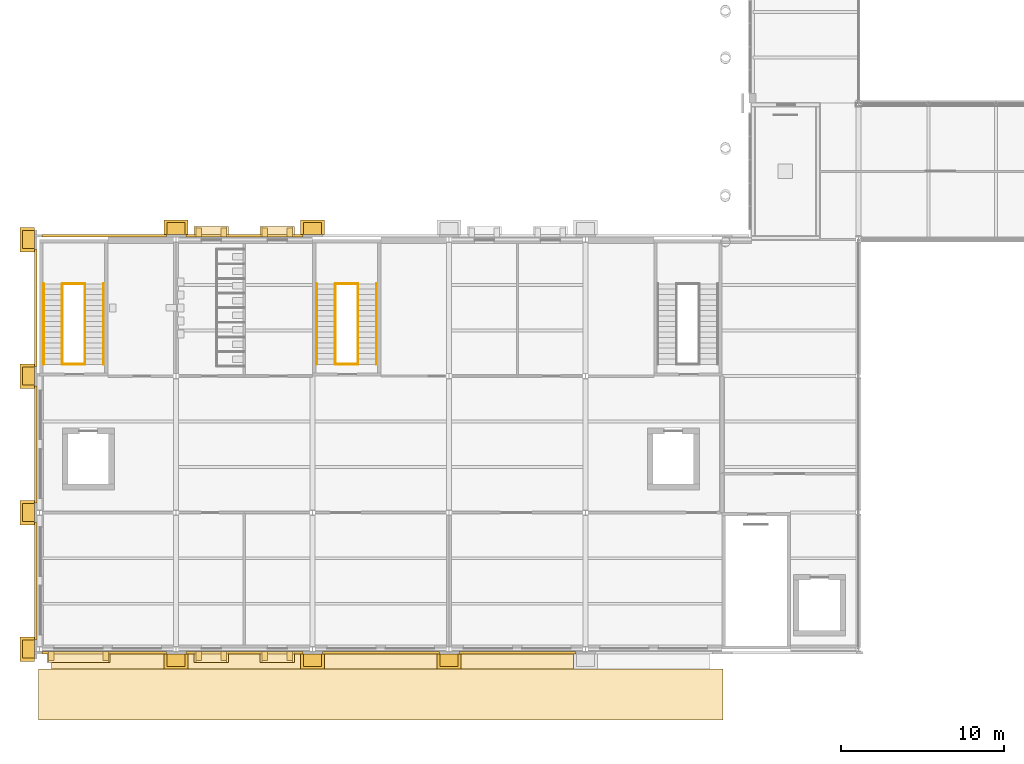
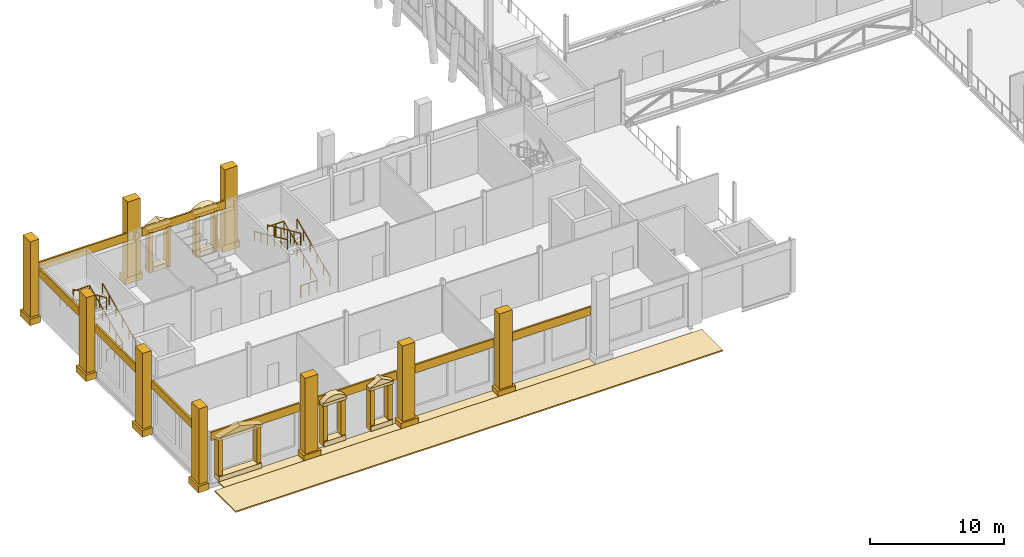
# One storey, part 60 of 76: 57 coverings, 12 railings.
"""IFC4 building model written with IfcOpenShell, lengths in metres."""

import ifcopenshell
import ifcopenshell.guid

model = None  # the IFC model being written
_history = None  # IfcOwnerHistory: only IFC2X3 demands one
_inside = {}  # id of a spatial element -> (the spatial element, [elements in it])
_under = {}  # id of a project, library or spatial element -> (it, [spatial elements below it])
_declared = {}  # id of a project -> (the project, [libraries it declares])
_typed = {}  # id of a type object -> (the type object, [elements of that type])
_made_of = {}  # id of a material, layer set ... -> (it, [elements and type objects made of it])


def new_model(schema):
    """Start an empty IFC model of exactly this schema.

    Asked for "IFC4X3", IfcOpenShell would pick the latest addendum, in which some entities
    have other attributes; the version numbers below select the first issue.
    IFC2X3 requires an IfcOwnerHistory on every rooted entity: one is made here for all.
    """
    global model, _history
    if schema == "IFC4X3":
        model = ifcopenshell.file(schema_version=(4, 3, 0, 0))
    else:
        model = ifcopenshell.file(schema=schema)
    _inside.clear()
    _under.clear()
    _declared.clear()
    _typed.clear()
    _made_of.clear()
    _history = None
    if model.schema == "IFC2X3":
        org = make("IfcOrganization", Name="unknown")
        user = make(
            "IfcPersonAndOrganization",
            ThePerson=make("IfcPerson", FamilyName="unknown"),
            TheOrganization=org,
        )
        app = make(
            "IfcApplication",
            ApplicationDeveloper=org,
            Version="unknown",
            ApplicationFullName="unknown",
            ApplicationIdentifier="unknown",
        )
        _history = make(
            "IfcOwnerHistory",
            OwningUser=user,
            OwningApplication=app,
            ChangeAction="ADDED",
            CreationDate=0,
        )
    return model


def make(cls, **values):
    """One entity of the class cls with the attributes given. An attribute that is None is left unset."""
    return model.create_entity(
        cls, **{name: value for name, value in values.items() if value is not None}
    )


def rooted(cls, **values):
    """An entity with a GlobalId (a new one), such as an element, a storey or a relation."""
    return make(cls, GlobalId=ifcopenshell.guid.new(), OwnerHistory=_history, **values)


def si_unit(unit_type, name, prefix=None):
    """IfcSIUnit, for example si_unit("LENGTHUNIT", "METRE", prefix="MILLI")."""
    return make("IfcSIUnit", UnitType=unit_type, Prefix=prefix, Name=name)


def assignment(units):
    """IfcUnitAssignment: the units of a project."""
    return None if units is None else make("IfcUnitAssignment", Units=units)


def point(xyz):
    """IfcCartesianPoint."""
    return None if xyz is None else make("IfcCartesianPoint", Coordinates=xyz)


def direction(xyz):
    """IfcDirection."""
    return None if xyz is None else make("IfcDirection", DirectionRatios=xyz)


def frame(location, z_axis=None, x_axis=None):
    """IfcAxis2Placement3D, a coordinate frame: its origin and axes. An axis left out is left unset."""
    return make(
        "IfcAxis2Placement3D",
        Location=point(location),
        Axis=direction(z_axis),
        RefDirection=direction(x_axis),
    )


def frame_2d(location, x_axis=None):
    """IfcAxis2Placement2D, a coordinate frame in the plane: its origin and x axis."""
    return make(
        "IfcAxis2Placement2D", Location=point(location), RefDirection=direction(x_axis)
    )


def origin():
    """The frame at (0, 0, 0) with its axes left unset."""
    return frame((0.0, 0.0, 0.0))


def origin_2d():
    """The frame at (0, 0) in the plane with its x axis left unset."""
    return frame_2d((0.0, 0.0))


def place(relative_to, where):
    """IfcLocalPlacement: puts the frame where relative to a parent placement (None: the world)."""
    return make(
        "IfcLocalPlacement", PlacementRelTo=relative_to, RelativePlacement=where
    )


def context(
    kind, dimensions, precision=None, world=None, true_north=None, identifier=None
):
    """IfcGeometricRepresentationContext, for example the 3D "Model" context."""
    return make(
        "IfcGeometricRepresentationContext",
        ContextIdentifier=identifier,
        ContextType=kind,
        CoordinateSpaceDimension=dimensions,
        Precision=precision,
        WorldCoordinateSystem=world,
        TrueNorth=true_north,
    )


def subcontext(parent, identifier, kind, view, scale=None):
    """IfcGeometricRepresentationSubContext, for example "Body" below "Model"."""
    return make(
        "IfcGeometricRepresentationSubContext",
        ContextIdentifier=identifier,
        ContextType=kind,
        ParentContext=parent,
        TargetScale=scale,
        TargetView=view,
    )


def project(units=None, contexts=None):
    """IfcProject with its units and contexts."""
    return rooted(
        "IfcProject",
        Name="project",
        RepresentationContexts=contexts,
        UnitsInContext=assignment(units),
    )


def spatial(cls, under=None, at=None, **own):
    """A site, building, storey or space (cls), placed at a placement, below another one or the project."""
    s = rooted(cls, ObjectPlacement=at, **own)
    if under is not None:
        _under.setdefault(under.id(), (under, []))[1].append(s)
    return s


def polyline(points):
    """IfcPolyline through the points."""
    return make("IfcPolyline", Points=[point(p) for p in points])


def profile(cls, at=None, kind="AREA", **sizes):
    """A parametric profile (cls). Its sizes go by their IFC names, for example OverallWidth=200.0."""
    return make(cls, ProfileType=kind, Position=at, **sizes)


def rectangle(**sizes):
    """IfcRectangleProfileDef."""
    return profile("IfcRectangleProfileDef", **sizes)


def circle(**sizes):
    """IfcCircleProfileDef."""
    return profile("IfcCircleProfileDef", **sizes)


def outline(outer, holes=None, kind="AREA"):
    """IfcArbitraryClosedProfileDef: a profile drawn as a closed curve; with holes, ...WithVoids."""
    if holes is None:
        return make("IfcArbitraryClosedProfileDef", ProfileType=kind, OuterCurve=outer)
    return make(
        "IfcArbitraryProfileDefWithVoids",
        ProfileType=kind,
        OuterCurve=outer,
        InnerCurves=holes,
    )


def extrude(swept, where, along, depth):
    """IfcExtrudedAreaSolid: the profile swept, set in the frame where, extruded along a direction by depth."""
    return make(
        "IfcExtrudedAreaSolid",
        SweptArea=swept,
        Position=where,
        ExtrudedDirection=direction(along),
        Depth=depth,
    )


def shape(context_of_items, identifier, shape_type, items):
    """IfcShapeRepresentation: the items that make up one representation, for example the "Body"."""
    return make(
        "IfcShapeRepresentation",
        ContextOfItems=context_of_items,
        RepresentationIdentifier=identifier,
        RepresentationType=shape_type,
        Items=items,
    )


def material(Name=None, Category=None):
    """IfcMaterial."""
    return make("IfcMaterial", Name=Name, Category=Category)


def layer(
    of_material, thickness, ventilated=None, Name=None, Category=None, Priority=None
):
    """IfcMaterialLayer: one layer of a wall or slab, of a material (None: an air gap)."""
    return make(
        "IfcMaterialLayer",
        Material=of_material,
        LayerThickness=thickness,
        IsVentilated=ventilated,
        Name=Name,
        Category=Category,
        Priority=Priority,
    )


def layer_set(layers, Name=None):
    """IfcMaterialLayerSet."""
    return make("IfcMaterialLayerSet", MaterialLayers=layers, LayerSetName=Name)


def made_of(thing, what):
    """Note that an element or type object is made of a material, layer set ...; save() writes the relation."""
    if what is not None:
        _made_of.setdefault(what.id(), (what, []))[1].append(thing)
    return thing


def type_object(cls, material=None, **own):
    """A type object (cls), such as IfcWallType, which elements share."""
    return made_of(rooted(cls, **own), material)


def element(
    cls,
    number,
    at=None,
    inside=None,
    cuts=None,
    type_object=None,
    material=None,
    context=None,
    identifier="Body",
    shape_type=None,
    held_by="IfcProductDefinitionShape",
    body=None,
    shapes=None,
    **own,
):
    """One element of the class cls, such as IfcWall. Its Tag is "e" and its number.

    at: its placement. inside: the storey or other place that contains it. cuts: it is an
    opening in that element (IfcRelVoidsElement). A single representation is given by context,
    identifier, shape_type and body (its items); several are given by shapes. held_by: the class
    of the entity that holds the representations. save() writes the other relations.
    """
    e = rooted(cls, Tag="e%d" % number, ObjectPlacement=at, **own)
    if body is not None:
        shapes = [shape(context, identifier, shape_type, body)]
    if shapes is not None:
        e.Representation = make(held_by, Representations=shapes)
    if inside is not None:
        _inside.setdefault(inside.id(), (inside, []))[1].append(e)
    if cuts is not None:
        rooted(
            "IfcRelVoidsElement", RelatingBuildingElement=cuts, RelatedOpeningElement=e
        )
    if type_object is not None:
        _typed.setdefault(type_object.id(), (type_object, []))[1].append(e)
    return made_of(e, material)


def aggregate(whole, parts):
    """IfcRelAggregates: a whole, such as a stair, and the parts it consists of."""
    return rooted("IfcRelAggregates", RelatingObject=whole, RelatedObjects=parts)


def save(model, path):
    """Write the relations noted so far, then the file.

    IfcRelAggregates (storeys below a building ...), IfcRelContainedInSpatialStructure (elements
    in a storey), IfcRelDefinesByType, IfcRelAssociatesMaterial and IfcRelDeclares: one each for
    every whole, place, type object, material and project.
    """
    for whole, parts in _under.values():
        aggregate(whole, parts)
    for where, things in _inside.values():
        rooted(
            "IfcRelContainedInSpatialStructure",
            RelatedElements=things,
            RelatingStructure=where,
        )
    for kind, things in _typed.values():
        rooted("IfcRelDefinesByType", RelatedObjects=things, RelatingType=kind)
    for what, things in _made_of.values():
        rooted("IfcRelAssociatesMaterial", RelatedObjects=things, RelatingMaterial=what)
    for by, libraries in _declared.values():
        rooted("IfcRelDeclares", RelatingContext=by, RelatedDefinitions=libraries)
    model.write(path)


model = new_model("IFC4")

# Units and contexts
model_context = context("Model", 3, precision=1e-05, world=origin(), true_north=direction((0.0, 1.0)))
body_context = subcontext(model_context, "Body", "Model", "MODEL_VIEW")
ifc_project = project(units=[si_unit("LENGTHUNIT", "METRE"), si_unit("AREAUNIT", "SQUARE_METRE"), si_unit("VOLUMEUNIT", "CUBIC_METRE"), si_unit("PLANEANGLEUNIT", "RADIAN"), si_unit("MASSUNIT", "GRAM", prefix="KILO")], contexts=[model_context])

# Site, building, storey
site_placement = place(None, origin())
site = spatial("IfcSite", under=ifc_project, at=site_placement, CompositionType="ELEMENT")
building_placement = place(site_placement, origin())
building = spatial("IfcBuilding", under=site, at=building_placement, Name="Sava Quay Ferry Terminal", CompositionType="ELEMENT")
storey_placement = place(building_placement, frame((0.0, 0.0, 6.0)))
storey = spatial("IfcBuildingStorey", under=building, at=storey_placement, Name="L01", CompositionType="ELEMENT", Elevation=6.0)

# Coverings
ifc_material_1 = material(Name="Standing-seam lead roofing")
ifc_layer_1 = layer(ifc_material_1, 0.1201171875)
ifc_layer_set_1 = layer_set([ifc_layer_1], Name="Standing-seam lead roofing")
covering_type_1 = type_object("IfcCoveringType", Name="Arcade roof covering 120", PredefinedType="ROOFING", material=ifc_layer_set_1)
covering_1_placement = place(storey_placement, frame((21.0, 22.419921875, 0.0), z_axis=(0.0, 0.0, 1.0), x_axis=(1.0, 0.0, 0.0)))
element("IfcCovering", 1, at=covering_1_placement, inside=storey, type_object=covering_type_1, Name="Arcade roof covering", PredefinedType="ROOFING", context=body_context, shape_type="SweptSolid", body=[
    extrude(rectangle(XDim=42.10009765625, YDim=3.139892578125, at=origin_2d()), origin(), (0.0, 0.0, 1.0), 0.1201171875),
])
for number, where, z_axis, x_axis, name in (
    (2, (4.199951171875, 24.43994140625, 0.0), (0.0, 0.0, 1.0), (1.0, 0.0, 0.0), "Arcade roof covering"),
    (3, (12.60009765625, 24.43994140625, 0.0), (0.0, 0.0, 1.0), (1.0, 0.0, 0.0), "Arcade roof covering"),
    (4, (21.0, 24.43994140625, 0.0), (0.0, 0.0, 1.0), (1.0, 0.0, 0.0), "Arcade roof covering"),
    (5, (29.39990234375, 24.43994140625, 0.0), (0.0, 0.0, 1.0), (1.0, 0.0, 0.0), "Arcade roof covering"),
):
    element("IfcCovering", number, at=place(storey_placement, frame(where, z_axis=z_axis, x_axis=x_axis)), inside=storey, type_object=covering_type_1, Name=name, PredefinedType="ROOFING", context=body_context, shape_type="SweptSolid", body=[
        extrude(rectangle(XDim=6.89990234375, YDim=0.89990234375, at=origin_2d()), origin(), (0.0, 0.0, 1.0), 0.1201171875),
    ])
ifc_material_2 = material(Name="Limestone Mutalj", Category="masonry")
ifc_layer_2 = layer(ifc_material_2, 0.89990234375)
ifc_layer_set_2 = layer_set([ifc_layer_2], Name="Limestone Mutalj")
covering_type_2 = type_object("IfcCoveringType", Name="Giant-order pilaster base 1500", PredefinedType="MOLDING", material=ifc_layer_set_2)
for number, where, z_axis, x_axis, name in (
    (6, (8.39990234375, 51.159912109375, 0.0), (0.0, 0.0, 1.0), (1.0, 0.0, 0.0), "Giant-order pilaster base"),
    (7, (16.800048828125, 51.159912109375, 0.0), (0.0, 0.0, 1.0), (1.0, 0.0, 0.0), "Giant-order pilaster base"),
    (8, (8.39990234375, 24.43994140625, 0.0), (0.0, 0.0, 1.0), (1.0, 0.0, 0.0), "Giant-order pilaster base"),
    (9, (16.800048828125, 24.43994140625, 0.0), (0.0, 0.0, 1.0), (1.0, 0.0, 0.0), "Giant-order pilaster base"),
    (10, (25.199951171875, 24.43994140625, 0.0), (0.0, 0.0, 1.0), (1.0, 0.0, 0.0), "Giant-order pilaster base"),
):
    element("IfcCovering", number, at=place(storey_placement, frame(where, z_axis=z_axis, x_axis=x_axis)), inside=storey, type_object=covering_type_2, Name=name, PredefinedType="MOLDING", context=body_context, shape_type="SweptSolid", body=[
        extrude(rectangle(XDim=1.5, YDim=0.89990234375, at=origin_2d()), origin(), (0.0, 0.0, 1.0), 0.60009765625),
    ])
for number, where, z_axis, x_axis, name in (
    (11, (-0.75, 25.199951171875, 0.0), (0.0, 0.0, 1.0), (1.0, 0.0, 0.0), "Giant-order pilaster base"),
    (12, (-0.75, 33.60009765625, 0.0), (0.0, 0.0, 1.0), (1.0, 0.0, 0.0), "Giant-order pilaster base"),
    (13, (-0.75, 42.0, 0.0), (0.0, 0.0, 1.0), (1.0, 0.0, 0.0), "Giant-order pilaster base"),
    (14, (-0.75, 50.39990234375, 0.0), (0.0, 0.0, 1.0), (1.0, 0.0, 0.0), "Giant-order pilaster base"),
):
    element("IfcCovering", number, at=place(storey_placement, frame(where, z_axis=z_axis, x_axis=x_axis)), inside=storey, type_object=covering_type_2, Name=name, PredefinedType="MOLDING", context=body_context, shape_type="SweptSolid", body=[
        extrude(rectangle(XDim=0.89990234375, YDim=1.5, at=origin_2d()), origin(), (0.0, 0.0, 1.0), 0.60009765625),
    ])
ifc_material_3 = material(Name="Limestone Mutalj", Category="masonry")
ifc_layer_3 = layer(ifc_material_3, 0.75)
ifc_layer_set_3 = layer_set([ifc_layer_3], Name="Limestone Mutalj")
covering_type_3 = type_object("IfcCoveringType", Name="Giant-order pilaster shaft 1100", PredefinedType="CLADDING", material=ifc_layer_set_3)
for number, where, z_axis, x_axis, name in (
    (15, (8.39990234375, 51.0849609375, 0.60009765625), (0.0, 0.0, 1.0), (1.0, 0.0, 0.0), "Giant-order pilaster"),
    (16, (16.800048828125, 51.0849609375, 0.60009765625), (0.0, 0.0, 1.0), (1.0, 0.0, 0.0), "Giant-order pilaster"),
    (17, (8.39990234375, 24.514892578125, 0.60009765625), (0.0, 0.0, 1.0), (1.0, 0.0, 0.0), "Giant-order pilaster"),
    (18, (16.800048828125, 24.514892578125, 0.60009765625), (0.0, 0.0, 1.0), (1.0, 0.0, 0.0), "Giant-order pilaster"),
    (19, (25.199951171875, 24.514892578125, 0.60009765625), (0.0, 0.0, 1.0), (1.0, 0.0, 0.0), "Giant-order pilaster"),
):
    element("IfcCovering", number, at=place(storey_placement, frame(where, z_axis=z_axis, x_axis=x_axis)), inside=storey, type_object=covering_type_3, Name=name, PredefinedType="CLADDING", context=body_context, shape_type="SweptSolid", body=[
        extrude(rectangle(XDim=1.10009765625, YDim=0.75, at=origin_2d()), origin(), (0.0, 0.0, 1.0), 6.89990234375),
    ])
for number, where, z_axis, x_axis, name in (
    (20, (-0.675048828125, 25.199951171875, 0.60009765625), (0.0, 0.0, 1.0), (1.0, 0.0, 0.0), "Giant-order pilaster"),
    (21, (-0.675048828125, 33.60009765625, 0.60009765625), (0.0, 0.0, 1.0), (1.0, 0.0, 0.0), "Giant-order pilaster"),
    (22, (-0.675048828125, 42.0, 0.60009765625), (0.0, 0.0, 1.0), (1.0, 0.0, 0.0), "Giant-order pilaster"),
    (23, (-0.675048828125, 50.39990234375, 0.60009765625), (0.0, 0.0, 1.0), (1.0, 0.0, 0.0), "Giant-order pilaster"),
):
    element("IfcCovering", number, at=place(storey_placement, frame(where, z_axis=z_axis, x_axis=x_axis)), inside=storey, type_object=covering_type_3, Name=name, PredefinedType="CLADDING", context=body_context, shape_type="SweptSolid", body=[
        extrude(rectangle(XDim=0.75, YDim=1.10009765625, at=origin_2d()), origin(), (0.0, 0.0, 1.0), 6.89990234375),
    ])

# Railings
ifc_material_4 = material(Name="Steel S355", Category="steel")
railing_type_1 = type_object("IfcRailingType", Name="Guard 1100", PredefinedType="GUARDRAIL", material=ifc_material_4)
railing_1_placement = place(storey_placement, frame((1.39990234375, 42.72998046875, 0.0)))
element("IfcRailing", 24, at=railing_1_placement, inside=storey, type_object=railing_type_1, Name="Guard at stair well ST-W1 L01", PredefinedType="GUARDRAIL", context=body_context, shape_type="SweptSolid", body=[
    extrude(circle(Radius=0.02392578125, at=origin_2d()), frame((0.0, 0.0, 1.076171875), z_axis=(1.0, 0.0, 0.0), x_axis=(0.0, 1.0, 0.0)), (0.0, 0.0, 1.0), 1.400146484375),
    extrude(circle(Radius=0.02099609375, at=origin_2d()), origin(), (0.0, 0.0, 1.0), 1.052001953125),
    extrude(circle(Radius=0.02099609375, at=origin_2d()), frame((0.7001953125, 0.0, 0.0)), (0.0, 0.0, 1.0), 1.052001953125),
    extrude(circle(Radius=0.02099609375, at=origin_2d()), frame((1.400146484375, 0.0, 0.0)), (0.0, 0.0, 1.0), 1.052001953125),
])
railing_2_placement = place(storey_placement, frame((2.800048828125, 42.72998046875, 0.14990234375)))
element("IfcRailing", 25, at=railing_2_placement, inside=storey, type_object=railing_type_1, Name="Guard at stair well ST-W1 L01", PredefinedType="GUARDRAIL", context=body_context, shape_type="SweptSolid", body=[
    extrude(circle(Radius=0.02392578125, at=origin_2d()), frame((0.0, 0.0, 1.076171875), z_axis=(0.0, 0.910364939756, 0.41380632724), x_axis=(-1.0, 0.0, 0.0)), (0.0, 0.0, 1.0), 5.437255859375),
    extrude(circle(Radius=0.02099609375, at=origin_2d()), origin(), (0.0, 0.0, 1.0), 1.052001953125),
    extrude(circle(Radius=0.02099609375, at=origin_2d()), frame((0.0, 0.989990234375, 0.449951171875)), (0.0, 0.0, 1.0), 1.052001953125),
    extrude(circle(Radius=0.02099609375, at=origin_2d()), frame((0.0, 1.97998046875, 0.89990234375)), (0.0, 0.0, 1.0), 1.052001953125),
    extrude(circle(Radius=0.02099609375, at=origin_2d()), frame((0.0, 2.969970703125, 1.35009765625)), (0.0, 0.0, 1.0), 1.052001953125),
    extrude(circle(Radius=0.02099609375, at=origin_2d()), frame((0.0, 3.9599609375, 1.800048828125)), (0.0, 0.0, 1.0), 1.052001953125),
    extrude(circle(Radius=0.02099609375, at=origin_2d()), frame((0.0, 4.949951171875, 2.25)), (0.0, 0.0, 1.0), 1.052001953125),
])
railing_3_placement = place(storey_placement, frame((1.39990234375, 47.679931640625, 2.550048828125)))
element("IfcRailing", 26, at=railing_3_placement, inside=storey, type_object=railing_type_1, Name="Guard at stair well ST-W1 L01", PredefinedType="GUARDRAIL", context=body_context, shape_type="SweptSolid", body=[
    extrude(circle(Radius=0.02392578125, at=origin_2d()), frame((0.0, 0.0, 1.076171875), z_axis=(0.0, -0.910364939756, 0.41380632724), x_axis=(1.0, 0.0, 0.0)), (0.0, 0.0, 1.0), 5.437255859375),
    extrude(circle(Radius=0.02099609375, at=origin_2d()), origin(), (0.0, 0.0, 1.0), 1.052001953125),
    extrude(circle(Radius=0.02099609375, at=origin_2d()), frame((0.0, -0.989990234375, 0.449951171875)), (0.0, 0.0, 1.0), 1.052001953125),
    extrude(circle(Radius=0.02099609375, at=origin_2d()), frame((0.0, -1.97998046875, 0.89990234375)), (0.0, 0.0, 1.0), 1.052001953125),
    extrude(circle(Radius=0.02099609375, at=origin_2d()), frame((0.0, -2.969970703125, 1.35009765625)), (0.0, 0.0, 1.0), 1.052001953125),
    extrude(circle(Radius=0.02099609375, at=origin_2d()), frame((0.0, -3.9599609375, 1.800048828125)), (0.0, 0.0, 1.0), 1.052001953125),
    extrude(circle(Radius=0.02099609375, at=origin_2d()), frame((0.0, -4.949951171875, 2.25)), (0.0, 0.0, 1.0), 1.052001953125),
])
for number, where, name in (
    (27, (1.39990234375, 47.679931640625, 2.39990234375), "Guard at half landing ST-W1 L01"),
    (28, (18.199951171875, 42.72998046875, 0.0), "Guard at stair well ST-W3 L01"),
):
    element("IfcRailing", number, at=place(storey_placement, frame(where)), inside=storey, type_object=railing_type_1, Name=name, PredefinedType="GUARDRAIL", context=body_context, shape_type="SweptSolid", body=[
        extrude(circle(Radius=0.02392578125, at=origin_2d()), frame((0.0, 0.0, 1.076171875), z_axis=(1.0, 0.0, 0.0), x_axis=(0.0, 1.0, 0.0)), (0.0, 0.0, 1.0), 1.400146484375),
        extrude(circle(Radius=0.02099609375, at=origin_2d()), origin(), (0.0, 0.0, 1.0), 1.052001953125),
        extrude(circle(Radius=0.02099609375, at=origin_2d()), frame((0.7001953125, 0.0, 0.0)), (0.0, 0.0, 1.0), 1.052001953125),
        extrude(circle(Radius=0.02099609375, at=origin_2d()), frame((1.400146484375, 0.0, 0.0)), (0.0, 0.0, 1.0), 1.052001953125),
    ])
railing_4_placement = place(storey_placement, frame((19.60009765625, 42.72998046875, 0.14990234375)))
element("IfcRailing", 29, at=railing_4_placement, inside=storey, type_object=railing_type_1, Name="Guard at stair well ST-W3 L01", PredefinedType="GUARDRAIL", context=body_context, shape_type="SweptSolid", body=[
    extrude(circle(Radius=0.02392578125, at=origin_2d()), frame((0.0, 0.0, 1.076171875), z_axis=(0.0, 0.910364939756, 0.41380632724), x_axis=(-1.0, 0.0, 0.0)), (0.0, 0.0, 1.0), 5.437255859375),
    extrude(circle(Radius=0.02099609375, at=origin_2d()), origin(), (0.0, 0.0, 1.0), 1.052001953125),
    extrude(circle(Radius=0.02099609375, at=origin_2d()), frame((0.0, 0.989990234375, 0.449951171875)), (0.0, 0.0, 1.0), 1.052001953125),
    extrude(circle(Radius=0.02099609375, at=origin_2d()), frame((0.0, 1.97998046875, 0.89990234375)), (0.0, 0.0, 1.0), 1.052001953125),
    extrude(circle(Radius=0.02099609375, at=origin_2d()), frame((0.0, 2.969970703125, 1.35009765625)), (0.0, 0.0, 1.0), 1.052001953125),
    extrude(circle(Radius=0.02099609375, at=origin_2d()), frame((0.0, 3.9599609375, 1.800048828125)), (0.0, 0.0, 1.0), 1.052001953125),
    extrude(circle(Radius=0.02099609375, at=origin_2d()), frame((0.0, 4.949951171875, 2.25)), (0.0, 0.0, 1.0), 1.052001953125),
])
railing_5_placement = place(storey_placement, frame((18.199951171875, 47.679931640625, 2.550048828125)))
element("IfcRailing", 30, at=railing_5_placement, inside=storey, type_object=railing_type_1, Name="Guard at stair well ST-W3 L01", PredefinedType="GUARDRAIL", context=body_context, shape_type="SweptSolid", body=[
    extrude(circle(Radius=0.02392578125, at=origin_2d()), frame((0.0, 0.0, 1.076171875), z_axis=(0.0, -0.910364939756, 0.41380632724), x_axis=(1.0, 0.0, 0.0)), (0.0, 0.0, 1.0), 5.437255859375),
    extrude(circle(Radius=0.02099609375, at=origin_2d()), origin(), (0.0, 0.0, 1.0), 1.052001953125),
    extrude(circle(Radius=0.02099609375, at=origin_2d()), frame((0.0, -0.989990234375, 0.449951171875)), (0.0, 0.0, 1.0), 1.052001953125),
    extrude(circle(Radius=0.02099609375, at=origin_2d()), frame((0.0, -1.97998046875, 0.89990234375)), (0.0, 0.0, 1.0), 1.052001953125),
    extrude(circle(Radius=0.02099609375, at=origin_2d()), frame((0.0, -2.969970703125, 1.35009765625)), (0.0, 0.0, 1.0), 1.052001953125),
    extrude(circle(Radius=0.02099609375, at=origin_2d()), frame((0.0, -3.9599609375, 1.800048828125)), (0.0, 0.0, 1.0), 1.052001953125),
    extrude(circle(Radius=0.02099609375, at=origin_2d()), frame((0.0, -4.949951171875, 2.25)), (0.0, 0.0, 1.0), 1.052001953125),
])
railing_6_placement = place(storey_placement, frame((18.199951171875, 47.679931640625, 2.39990234375)))
element("IfcRailing", 31, at=railing_6_placement, inside=storey, type_object=railing_type_1, Name="Guard at half landing ST-W3 L01", PredefinedType="GUARDRAIL", context=body_context, shape_type="SweptSolid", body=[
    extrude(circle(Radius=0.02392578125, at=origin_2d()), frame((0.0, 0.0, 1.076171875), z_axis=(1.0, 0.0, 0.0), x_axis=(0.0, 1.0, 0.0)), (0.0, 0.0, 1.0), 1.400146484375),
    extrude(circle(Radius=0.02099609375, at=origin_2d()), origin(), (0.0, 0.0, 1.0), 1.052001953125),
    extrude(circle(Radius=0.02099609375, at=origin_2d()), frame((0.7001953125, 0.0, 0.0)), (0.0, 0.0, 1.0), 1.052001953125),
    extrude(circle(Radius=0.02099609375, at=origin_2d()), frame((1.400146484375, 0.0, 0.0)), (0.0, 0.0, 1.0), 1.052001953125),
])

# Coverings
ifc_material_5 = material(Name="Limestone Mutalj", Category="masonry")
ifc_layer_4 = layer(ifc_material_5, 0.14990234375)
ifc_layer_set_4 = layer_set([ifc_layer_4], Name="Limestone Mutalj")
covering_type_4 = type_object("IfcCoveringType", Name="Limestone string course 150", PredefinedType="CLADDING", material=ifc_layer_set_4)
covering_2_placement = place(storey_placement, frame((0.0, 0.0, 4.050048828125)))
element("IfcCovering", 32, at=covering_2_placement, inside=storey, type_object=covering_type_4, Name="String course W-S", PredefinedType="CLADDING", context=body_context, shape_type="SweptSolid", body=[
    extrude(outline(polyline([(0.14990234375, 25.0400390625), (7.800048828125, 25.0400390625), (7.800048828125, 24.889892578125), (0.14990234375, 24.889892578125), (0.14990234375, 25.0400390625)])), origin(), (0.0, 0.0, 1.0), 0.75),
])
covering_3_placement = place(storey_placement, frame((0.0, 0.0, 4.050048828125)))
element("IfcCovering", 33, at=covering_3_placement, inside=storey, type_object=covering_type_4, Name="String course W-S", PredefinedType="CLADDING", context=body_context, shape_type="SweptSolid", body=[
    extrude(outline(polyline([(9.0, 25.0400390625), (16.199951171875, 25.0400390625), (16.199951171875, 24.889892578125), (9.0, 24.889892578125), (9.0, 25.0400390625)])), origin(), (0.0, 0.0, 1.0), 0.75),
])
covering_4_placement = place(storey_placement, frame((0.0, 0.0, 4.050048828125)))
element("IfcCovering", 34, at=covering_4_placement, inside=storey, type_object=covering_type_4, Name="String course W-S", PredefinedType="CLADDING", context=body_context, shape_type="SweptSolid", body=[
    extrude(outline(polyline([(17.39990234375, 25.0400390625), (24.60009765625, 25.0400390625), (24.60009765625, 24.889892578125), (17.39990234375, 24.889892578125), (17.39990234375, 25.0400390625)])), origin(), (0.0, 0.0, 1.0), 0.75),
])
covering_5_placement = place(storey_placement, frame((0.0, 0.0, 4.050048828125)))
element("IfcCovering", 35, at=covering_5_placement, inside=storey, type_object=covering_type_4, Name="String course W-S", PredefinedType="CLADDING", context=body_context, shape_type="SweptSolid", body=[
    extrude(outline(polyline([(25.800048828125, 25.0400390625), (33.0, 25.0400390625), (33.0, 24.889892578125), (25.800048828125, 24.889892578125), (25.800048828125, 25.0400390625)])), origin(), (0.0, 0.0, 1.0), 0.75),
])
covering_6_placement = place(storey_placement, frame((0.0, 0.0, 4.050048828125)))
element("IfcCovering", 36, at=covering_6_placement, inside=storey, type_object=covering_type_4, Name="String course W-W", PredefinedType="CLADDING", context=body_context, shape_type="SweptSolid", body=[
    extrude(outline(polyline([(-0.14990234375, 25.800048828125), (-0.14990234375, 33.0), (-0.300048828125, 33.0), (-0.300048828125, 25.800048828125), (-0.14990234375, 25.800048828125)])), origin(), (0.0, 0.0, 1.0), 0.75),
])
covering_7_placement = place(storey_placement, frame((0.0, 0.0, 4.050048828125)))
element("IfcCovering", 37, at=covering_7_placement, inside=storey, type_object=covering_type_4, Name="String course W-W", PredefinedType="CLADDING", context=body_context, shape_type="SweptSolid", body=[
    extrude(outline(polyline([(-0.14990234375, 34.199951171875), (-0.14990234375, 41.39990234375), (-0.300048828125, 41.39990234375), (-0.300048828125, 34.199951171875), (-0.14990234375, 34.199951171875)])), origin(), (0.0, 0.0, 1.0), 0.75),
])
covering_8_placement = place(storey_placement, frame((0.0, 0.0, 4.050048828125)))
element("IfcCovering", 38, at=covering_8_placement, inside=storey, type_object=covering_type_4, Name="String course W-W", PredefinedType="CLADDING", context=body_context, shape_type="SweptSolid", body=[
    extrude(outline(polyline([(-0.14990234375, 42.60009765625), (-0.14990234375, 49.800048828125), (-0.300048828125, 49.800048828125), (-0.300048828125, 42.60009765625), (-0.14990234375, 42.60009765625)])), origin(), (0.0, 0.0, 1.0), 0.75),
])
covering_9_placement = place(storey_placement, frame((0.0, 0.0, 4.050048828125)))
element("IfcCovering", 39, at=covering_9_placement, inside=storey, type_object=covering_type_4, Name="String course W-N", PredefinedType="CLADDING", context=body_context, shape_type="SweptSolid", body=[
    extrude(outline(polyline([(0.14990234375, 50.56005859375), (7.800048828125, 50.56005859375), (7.800048828125, 50.7099609375), (0.14990234375, 50.7099609375), (0.14990234375, 50.56005859375)])), origin(), (0.0, 0.0, 1.0), 0.75),
])
covering_10_placement = place(storey_placement, frame((0.0, 0.0, 4.050048828125)))
element("IfcCovering", 40, at=covering_10_placement, inside=storey, type_object=covering_type_4, Name="String course W-N", PredefinedType="CLADDING", context=body_context, shape_type="SweptSolid", body=[
    extrude(outline(polyline([(9.0, 50.56005859375), (16.199951171875, 50.56005859375), (16.199951171875, 50.7099609375), (9.0, 50.7099609375), (9.0, 50.56005859375)])), origin(), (0.0, 0.0, 1.0), 0.75),
])
ifc_material_6 = material(Name="Limestone Mutalj", Category="masonry")
ifc_layer_5 = layer(ifc_material_6, 0.64990234375)
ifc_layer_set_5 = layer_set([ifc_layer_5], Name="Limestone Mutalj")
covering_type_5 = type_object("IfcCoveringType", Name="Segmental window head 500", PredefinedType="MOLDING", material=ifc_layer_set_5)
for number, where, z_axis, x_axis, name in (
    (41, (13.581298828125, 51.2099609375, 4.39990234375), (0.0, 1.0, 0.0), (0.71122974715, 0.0, 0.702959633811), "Segmental window head"),
    (42, (9.518798828125, 25.0400390625, 4.39990234375), (0.0, 1.0, 0.0), (0.71122974715, 0.0, 0.702959633811), "Segmental window head"),
):
    element("IfcCovering", number, at=place(storey_placement, frame(where, z_axis=z_axis, x_axis=x_axis)), inside=storey, type_object=covering_type_5, Name=name, PredefinedType="MOLDING", context=body_context, shape_type="SweptSolid", body=[
        extrude(outline(polyline([(0.0, 0.0), (0.29520831818581716, 0.0), (0.5408181661149173, 0.05018198167150195), (0.752447055183014, 0.1347446981906073), (0.9373030675727445, 0.24639526640782444), (1.0981321393536847, 0.382355445123347), (1.2361376366269134, 0.5417550148915962), (1.3499425532163642, 0.7252925741538023), (1.4369745931274485, 0.93591798511412), (1.4900256741775295, 1.1809241309220415), (1.4934782849708934, 1.4761122584014645), (0.0, 0.0)])), origin(), (0.0, 0.0, -1.0), 0.64990234375),
    ])

# Railings
ifc_material_7 = material(Name="Steel S355", Category="steel")
railing_type_2 = type_object("IfcRailingType", Name="Stair handrail 900", PredefinedType="HANDRAIL", material=ifc_material_7)
railing_7_placement = place(storey_placement, frame((3.93994140625, 42.72998046875, 0.14990234375)))
element("IfcRailing", 43, at=railing_7_placement, inside=storey, type_object=railing_type_2, Name="Handrail ST-W1 L01", PredefinedType="HANDRAIL", context=body_context, shape_type="SweptSolid", body=[
    extrude(circle(Radius=0.02392578125, at=origin_2d()), frame((0.0, 0.0, 0.8759765625), z_axis=(0.0, 0.910364939756, 0.41380632724), x_axis=(-1.0, 0.0, 0.0)), (0.0, 0.0, 1.0), 5.437255859375),
    extrude(circle(Radius=0.02099609375, at=origin_2d()), origin(), (0.0, 0.0, 1.0), 0.851806640625),
    extrude(circle(Radius=0.02099609375, at=origin_2d()), frame((0.0, 0.989990234375, 0.449951171875)), (0.0, 0.0, 1.0), 0.851806640625),
    extrude(circle(Radius=0.02099609375, at=origin_2d()), frame((0.0, 1.97998046875, 0.89990234375)), (0.0, 0.0, 1.0), 0.851806640625),
    extrude(circle(Radius=0.02099609375, at=origin_2d()), frame((0.0, 2.969970703125, 1.35009765625)), (0.0, 0.0, 1.0), 0.851806640625),
    extrude(circle(Radius=0.02099609375, at=origin_2d()), frame((0.0, 3.9599609375, 1.800048828125)), (0.0, 0.0, 1.0), 0.851806640625),
    extrude(circle(Radius=0.02099609375, at=origin_2d()), frame((0.0, 4.949951171875, 2.25)), (0.0, 0.0, 1.0), 0.851806640625),
])
railing_8_placement = place(storey_placement, frame((0.260009765625, 47.679931640625, 2.550048828125)))
element("IfcRailing", 44, at=railing_8_placement, inside=storey, type_object=railing_type_2, Name="Handrail ST-W1 L01", PredefinedType="HANDRAIL", context=body_context, shape_type="SweptSolid", body=[
    extrude(circle(Radius=0.02392578125, at=origin_2d()), frame((0.0, 0.0, 0.8759765625), z_axis=(0.0, -0.910364939756, 0.41380632724), x_axis=(1.0, 0.0, 0.0)), (0.0, 0.0, 1.0), 5.437255859375),
    extrude(circle(Radius=0.02099609375, at=origin_2d()), origin(), (0.0, 0.0, 1.0), 0.851806640625),
    extrude(circle(Radius=0.02099609375, at=origin_2d()), frame((0.0, -0.989990234375, 0.449951171875)), (0.0, 0.0, 1.0), 0.851806640625),
    extrude(circle(Radius=0.02099609375, at=origin_2d()), frame((0.0, -1.97998046875, 0.89990234375)), (0.0, 0.0, 1.0), 0.851806640625),
    extrude(circle(Radius=0.02099609375, at=origin_2d()), frame((0.0, -2.969970703125, 1.35009765625)), (0.0, 0.0, 1.0), 0.851806640625),
    extrude(circle(Radius=0.02099609375, at=origin_2d()), frame((0.0, -3.9599609375, 1.800048828125)), (0.0, 0.0, 1.0), 0.851806640625),
    extrude(circle(Radius=0.02099609375, at=origin_2d()), frame((0.0, -4.949951171875, 2.25)), (0.0, 0.0, 1.0), 0.851806640625),
])
railing_9_placement = place(storey_placement, frame((20.739990234375, 42.72998046875, 0.14990234375)))
element("IfcRailing", 45, at=railing_9_placement, inside=storey, type_object=railing_type_2, Name="Handrail ST-W3 L01", PredefinedType="HANDRAIL", context=body_context, shape_type="SweptSolid", body=[
    extrude(circle(Radius=0.02392578125, at=origin_2d()), frame((0.0, 0.0, 0.8759765625), z_axis=(0.0, 0.910364939756, 0.41380632724), x_axis=(-1.0, 0.0, 0.0)), (0.0, 0.0, 1.0), 5.437255859375),
    extrude(circle(Radius=0.02099609375, at=origin_2d()), origin(), (0.0, 0.0, 1.0), 0.851806640625),
    extrude(circle(Radius=0.02099609375, at=origin_2d()), frame((0.0, 0.989990234375, 0.449951171875)), (0.0, 0.0, 1.0), 0.851806640625),
    extrude(circle(Radius=0.02099609375, at=origin_2d()), frame((0.0, 1.97998046875, 0.89990234375)), (0.0, 0.0, 1.0), 0.851806640625),
    extrude(circle(Radius=0.02099609375, at=origin_2d()), frame((0.0, 2.969970703125, 1.35009765625)), (0.0, 0.0, 1.0), 0.851806640625),
    extrude(circle(Radius=0.02099609375, at=origin_2d()), frame((0.0, 3.9599609375, 1.800048828125)), (0.0, 0.0, 1.0), 0.851806640625),
    extrude(circle(Radius=0.02099609375, at=origin_2d()), frame((0.0, 4.949951171875, 2.25)), (0.0, 0.0, 1.0), 0.851806640625),
])
railing_10_placement = place(storey_placement, frame((17.06005859375, 47.679931640625, 2.550048828125)))
element("IfcRailing", 46, at=railing_10_placement, inside=storey, type_object=railing_type_2, Name="Handrail ST-W3 L01", PredefinedType="HANDRAIL", context=body_context, shape_type="SweptSolid", body=[
    extrude(circle(Radius=0.02392578125, at=origin_2d()), frame((0.0, 0.0, 0.8759765625), z_axis=(0.0, -0.910364939756, 0.41380632724), x_axis=(1.0, 0.0, 0.0)), (0.0, 0.0, 1.0), 5.437255859375),
    extrude(circle(Radius=0.02099609375, at=origin_2d()), origin(), (0.0, 0.0, 1.0), 0.851806640625),
    extrude(circle(Radius=0.02099609375, at=origin_2d()), frame((0.0, -0.989990234375, 0.449951171875)), (0.0, 0.0, 1.0), 0.851806640625),
    extrude(circle(Radius=0.02099609375, at=origin_2d()), frame((0.0, -1.97998046875, 0.89990234375)), (0.0, 0.0, 1.0), 0.851806640625),
    extrude(circle(Radius=0.02099609375, at=origin_2d()), frame((0.0, -2.969970703125, 1.35009765625)), (0.0, 0.0, 1.0), 0.851806640625),
    extrude(circle(Radius=0.02099609375, at=origin_2d()), frame((0.0, -3.9599609375, 1.800048828125)), (0.0, 0.0, 1.0), 0.851806640625),
    extrude(circle(Radius=0.02099609375, at=origin_2d()), frame((0.0, -4.949951171875, 2.25)), (0.0, 0.0, 1.0), 0.851806640625),
])

# Coverings
ifc_material_8 = material(Name="Limestone Mutalj", Category="masonry")
ifc_layer_6 = layer(ifc_material_8, 0.64990234375)
ifc_layer_set_6 = layer_set([ifc_layer_6], Name="Limestone Mutalj")
covering_type_6 = type_object("IfcCoveringType", Name="Triangular window head 500", PredefinedType="MOLDING", material=ifc_layer_set_6)
covering_11_placement = place(storey_placement, frame((9.518798828125, 50.56005859375, 4.39990234375), z_axis=(0.0, -1.0, 0.0), x_axis=(1.0, 0.0, 0.0)))
element("IfcCovering", 47, at=covering_11_placement, inside=storey, type_object=covering_type_6, Name="Triangular window head", PredefinedType="MOLDING", context=body_context, shape_type="SweptSolid", body=[
    extrude(outline(polyline([(0.0, 0.0), (2.099853515625, 0.0), (1.0498046875, 0.550048828125), (0.0, 0.0)])), origin(), (0.0, 0.0, -1.0), 0.64990234375),
])
covering_12_placement = place(storey_placement, frame((0.449951171875, 24.389892578125, 4.39990234375), z_axis=(0.0, -1.0, 0.0), x_axis=(1.0, 0.0, 0.0)))
element("IfcCovering", 48, at=covering_12_placement, inside=storey, type_object=covering_type_6, Name="Triangular window head", PredefinedType="MOLDING", context=body_context, shape_type="SweptSolid", body=[
    extrude(outline(polyline([(0.0, 0.0), (3.900146484375, 0.0), (1.949951171875, 0.550048828125), (0.0, 0.0)])), origin(), (0.0, 0.0, -1.0), 0.64990234375),
])
covering_13_placement = place(storey_placement, frame((13.581298828125, 24.389892578125, 4.39990234375), z_axis=(0.0, -1.0, 0.0), x_axis=(1.0, 0.0, 0.0)))
element("IfcCovering", 49, at=covering_13_placement, inside=storey, type_object=covering_type_6, Name="Triangular window head", PredefinedType="MOLDING", context=body_context, shape_type="SweptSolid", body=[
    extrude(outline(polyline([(0.0, 0.0), (2.099853515625, 0.0), (1.0498046875, 0.550048828125), (0.0, 0.0)])), origin(), (0.0, 0.0, -1.0), 0.64990234375),
])
ifc_material_9 = material(Name="Limestone Mutalj", Category="masonry")
ifc_layer_7 = layer(ifc_material_9, 0.550048828125)
ifc_layer_set_7 = layer_set([ifc_layer_7], Name="Limestone Mutalj")
covering_type_7 = type_object("IfcCoveringType", Name="Window surround jamb 350", PredefinedType="MOLDING", material=ifc_layer_set_7)
for number, where, z_axis, x_axis, name in (
    (50, (9.793701171875, 50.8349609375, 0.4501953125), (0.0, 0.0, 1.0), (1.0, 0.0, 0.0), "Window surround jamb"),
    (51, (11.34375, 50.8349609375, 0.4501953125), (0.0, 0.0, 1.0), (1.0, 0.0, 0.0), "Window surround jamb"),
    (52, (13.856201171875, 50.8349609375, 0.4501953125), (0.0, 0.0, 1.0), (1.0, 0.0, 0.0), "Window surround jamb"),
    (53, (15.40625, 50.8349609375, 0.4501953125), (0.0, 0.0, 1.0), (1.0, 0.0, 0.0), "Window surround jamb"),
    (54, (0.72509765625, 24.764892578125, 0.4501953125), (0.0, 0.0, 1.0), (1.0, 0.0, 0.0), "Window surround jamb"),
    (55, (4.074951171875, 24.764892578125, 0.4501953125), (0.0, 0.0, 1.0), (1.0, 0.0, 0.0), "Window surround jamb"),
    (56, (9.793701171875, 24.764892578125, 0.4501953125), (0.0, 0.0, 1.0), (1.0, 0.0, 0.0), "Window surround jamb"),
    (57, (11.34375, 24.764892578125, 0.4501953125), (0.0, 0.0, 1.0), (1.0, 0.0, 0.0), "Window surround jamb"),
    (58, (13.856201171875, 24.764892578125, 0.4501953125), (0.0, 0.0, 1.0), (1.0, 0.0, 0.0), "Window surround jamb"),
    (59, (15.40625, 24.764892578125, 0.4501953125), (0.0, 0.0, 1.0), (1.0, 0.0, 0.0), "Window surround jamb"),
):
    element("IfcCovering", number, at=place(storey_placement, frame(where, z_axis=z_axis, x_axis=x_axis)), inside=storey, type_object=covering_type_7, Name=name, PredefinedType="MOLDING", context=body_context, shape_type="SweptSolid", body=[
        extrude(rectangle(XDim=0.35009765625, YDim=0.550048828125, at=origin_2d()), origin(), (0.0, 0.0, 1.0), 3.699951171875),
    ])
ifc_material_10 = material(Name="Limestone Mutalj", Category="masonry")
ifc_layer_8 = layer(ifc_material_10, 0.64990234375)
ifc_layer_set_8 = layer_set([ifc_layer_8], Name="Limestone Mutalj")
covering_type_8 = type_object("IfcCoveringType", Name="Window surround lintel 300", PredefinedType="MOLDING", material=ifc_layer_set_8)
for number, where, z_axis, x_axis, name in (
    (60, (10.568603515625, 50.885009765625, 4.14990234375), (0.0, 0.0, 1.0), (1.0, 0.0, 0.0), "Window surround lintel"),
    (61, (14.631103515625, 50.885009765625, 4.14990234375), (0.0, 0.0, 1.0), (1.0, 0.0, 0.0), "Window surround lintel"),
):
    element("IfcCovering", number, at=place(storey_placement, frame(where, z_axis=z_axis, x_axis=x_axis)), inside=storey, type_object=covering_type_8, Name=name, PredefinedType="MOLDING", context=body_context, shape_type="SweptSolid", body=[
        extrude(rectangle(XDim=2.10009765625, YDim=0.64990234375, at=origin_2d()), origin(), (0.0, 0.0, 1.0), 0.25),
    ])
covering_14_placement = place(storey_placement, frame((2.39990234375, 24.715087890625, 4.14990234375), z_axis=(0.0, 0.0, 1.0), x_axis=(1.0, 0.0, 0.0)))
element("IfcCovering", 62, at=covering_14_placement, inside=storey, type_object=covering_type_8, Name="Window surround lintel", PredefinedType="MOLDING", context=body_context, shape_type="SweptSolid", body=[
    extrude(rectangle(XDim=3.89990234375, YDim=0.64990234375, at=origin_2d()), origin(), (0.0, 0.0, 1.0), 0.25),
])
for number, where, z_axis, x_axis, name in (
    (63, (10.568603515625, 24.715087890625, 4.14990234375), (0.0, 0.0, 1.0), (1.0, 0.0, 0.0), "Window surround lintel"),
    (64, (14.631103515625, 24.715087890625, 4.14990234375), (0.0, 0.0, 1.0), (1.0, 0.0, 0.0), "Window surround lintel"),
):
    element("IfcCovering", number, at=place(storey_placement, frame(where, z_axis=z_axis, x_axis=x_axis)), inside=storey, type_object=covering_type_8, Name=name, PredefinedType="MOLDING", context=body_context, shape_type="SweptSolid", body=[
        extrude(rectangle(XDim=2.10009765625, YDim=0.64990234375, at=origin_2d()), origin(), (0.0, 0.0, 1.0), 0.25),
    ])
ifc_material_11 = material(Name="Limestone Mutalj", Category="masonry")
ifc_layer_9 = layer(ifc_material_11, 0.64990234375)
ifc_layer_set_9 = layer_set([ifc_layer_9], Name="Limestone Mutalj")
covering_type_9 = type_object("IfcCoveringType", Name="Window surround sill 450", PredefinedType="MOLDING", material=ifc_layer_set_9)
for number, where, z_axis, x_axis, name in (
    (65, (10.568603515625, 50.885009765625, 0.4501953125), (0.0, 0.0, 1.0), (1.0, 0.0, 0.0), "Window surround sill"),
    (66, (14.631103515625, 50.885009765625, 0.4501953125), (0.0, 0.0, 1.0), (1.0, 0.0, 0.0), "Window surround sill"),
):
    element("IfcCovering", number, at=place(storey_placement, frame(where, z_axis=z_axis, x_axis=x_axis)), inside=storey, type_object=covering_type_9, Name=name, PredefinedType="MOLDING", context=body_context, shape_type="SweptSolid", body=[
        extrude(rectangle(XDim=1.89990234375, YDim=0.64990234375, at=origin_2d()), origin(), (0.0, 0.0, 1.0), 0.449951171875),
    ])
covering_15_placement = place(storey_placement, frame((2.39990234375, 24.715087890625, 0.4501953125), z_axis=(0.0, 0.0, 1.0), x_axis=(1.0, 0.0, 0.0)))
element("IfcCovering", 67, at=covering_15_placement, inside=storey, type_object=covering_type_9, Name="Window surround sill", PredefinedType="MOLDING", context=body_context, shape_type="SweptSolid", body=[
    extrude(rectangle(XDim=3.699951171875, YDim=0.64990234375, at=origin_2d()), origin(), (0.0, 0.0, 1.0), 0.449951171875),
])
for number, where, z_axis, x_axis, name in (
    (68, (10.568603515625, 24.715087890625, 0.4501953125), (0.0, 0.0, 1.0), (1.0, 0.0, 0.0), "Window surround sill"),
    (69, (14.631103515625, 24.715087890625, 0.4501953125), (0.0, 0.0, 1.0), (1.0, 0.0, 0.0), "Window surround sill"),
):
    element("IfcCovering", number, at=place(storey_placement, frame(where, z_axis=z_axis, x_axis=x_axis)), inside=storey, type_object=covering_type_9, Name=name, PredefinedType="MOLDING", context=body_context, shape_type="SweptSolid", body=[
        extrude(rectangle(XDim=1.89990234375, YDim=0.64990234375, at=origin_2d()), origin(), (0.0, 0.0, 1.0), 0.449951171875),
    ])

save(model, "model.ifc")
